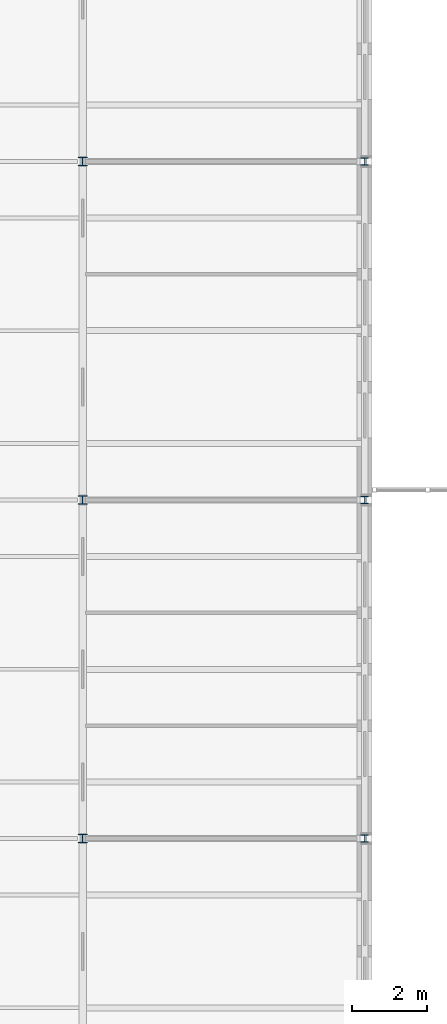
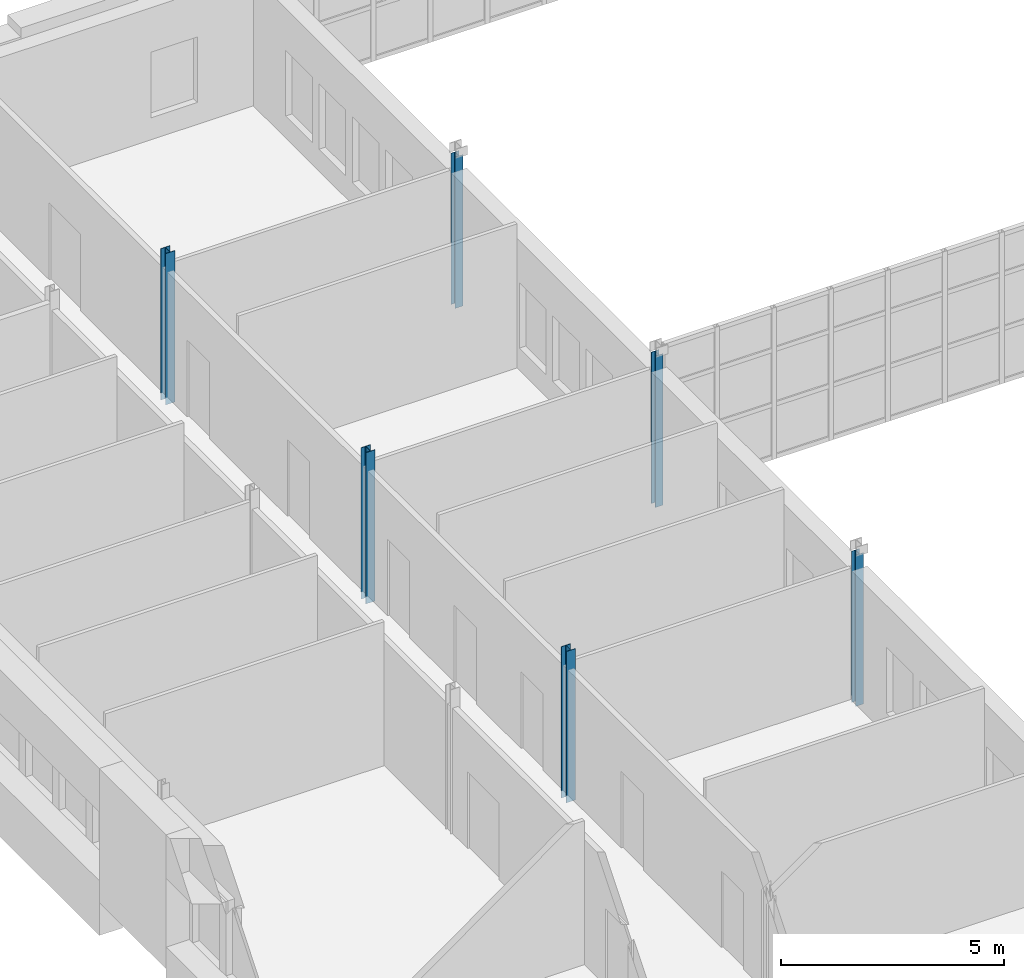
# One storey, part 7 of 154: 6 columns.
"""IFC4 building model written with IfcOpenShell, lengths in metres."""

from ifc_helpers import new_model, si_unit, direction, frame, origin, origin_2d, place, context, subcontext, project, spatial, i_section, extrude, material, material_profile, profile_set, type_object, element, save


model = new_model("IFC4")

# Units and contexts
model_context = context("Model", 3, precision=1e-05, world=origin(), true_north=direction((0.0, 1.0)))
body_context = subcontext(model_context, "Body", "Model", "MODEL_VIEW")
ifc_project = project(units=[si_unit("LENGTHUNIT", "METRE"), si_unit("AREAUNIT", "SQUARE_METRE"), si_unit("VOLUMEUNIT", "CUBIC_METRE"), si_unit("PLANEANGLEUNIT", "RADIAN"), si_unit("MASSUNIT", "GRAM", prefix="KILO")], contexts=[model_context])

# Site, building, storey
site_placement = place(None, origin())
site = spatial("IfcSite", under=ifc_project, at=site_placement, CompositionType="ELEMENT")
building_placement = place(site_placement, origin())
building = spatial("IfcBuilding", under=site, at=building_placement, Name="Golden Quay Civic Hall", CompositionType="ELEMENT")
storey_placement = place(building_placement, frame((0.0, 0.0, 14.39990234375)))
storey = spatial("IfcBuildingStorey", under=building, at=storey_placement, Name="L03", CompositionType="ELEMENT", Elevation=14.39990234375)

# Columns
ifc_material_1 = material(Name="Steel S355", Category="steel")
ifc_material_profile_1 = material_profile(ifc_material_1, i_section(OverallWidth=0.199951171875, OverallDepth=0.18994140625, WebThickness=0.006591796875, FlangeThickness=0.010009765625, FilletRadius=0.01806640625, at=origin_2d()), Name="HEA 200")
ifc_profile_set_1 = profile_set([ifc_material_profile_1], Name="Steel S355")
column_type_1 = type_object("IfcColumnType", Name="Steel column HEA 200", PredefinedType="COLUMN", material=ifc_profile_set_1)
for number, where, z_axis, x_axis, name in (
    (1, (72.0, 27.0, -0.199951171875), (0.0, 0.0, 1.0), (1.0, 0.0, 0.0), "Column 72/27 L03"),
    (2, (72.0, 36.0, -0.199951171875), (0.0, 0.0, 1.0), (1.0, 0.0, 0.0), "Column 72/36 L03"),
    (3, (72.0, 45.0, -0.199951171875), (0.0, 0.0, 1.0), (1.0, 0.0, 0.0), "Column 72/45 L03"),
):
    element("IfcColumn", number, at=place(storey_placement, frame(where, z_axis=z_axis, x_axis=x_axis)), inside=storey, type_object=column_type_1, Name=name, PredefinedType="COLUMN", context=body_context, shape_type="SweptSolid", body=[
        extrude(i_section(OverallWidth=0.199951171875, OverallDepth=0.18994140625, WebThickness=0.006591796875, FlangeThickness=0.010009765625, FilletRadius=0.01806640625, at=origin_2d()), origin(), (0.0, 0.0, 1.0), 4.150146484375),
    ])
ifc_material_2 = material(Name="Steel S355", Category="steel")
ifc_material_profile_2 = material_profile(ifc_material_2, i_section(OverallWidth=0.239990234375, OverallDepth=0.22998046875, WebThickness=0.007568359375, FlangeThickness=0.011962890625, FilletRadius=0.02099609375, at=origin_2d()), Name="HEA 240")
ifc_profile_set_2 = profile_set([ifc_material_profile_2], Name="Steel S355")
column_type_2 = type_object("IfcColumnType", Name="Steel column HEA 240", PredefinedType="COLUMN", material=ifc_profile_set_2)
for number, where, z_axis, x_axis, name in (
    (4, (64.5, 27.0, -0.199951171875), (0.0, 0.0, 1.0), (1.0, 0.0, 0.0), "Column 64.5/27 L03"),
    (5, (64.5, 36.0, -0.199951171875), (0.0, 0.0, 1.0), (1.0, 0.0, 0.0), "Column 64.5/36 L03"),
    (6, (64.5, 45.0, -0.199951171875), (0.0, 0.0, 1.0), (1.0, 0.0, 0.0), "Column 64.5/45 L03"),
):
    element("IfcColumn", number, at=place(storey_placement, frame(where, z_axis=z_axis, x_axis=x_axis)), inside=storey, type_object=column_type_2, Name=name, PredefinedType="COLUMN", context=body_context, shape_type="SweptSolid", body=[
        extrude(i_section(OverallWidth=0.239990234375, OverallDepth=0.22998046875, WebThickness=0.007568359375, FlangeThickness=0.011962890625, FilletRadius=0.02099609375, at=origin_2d()), origin(), (0.0, 0.0, 1.0), 4.150146484375),
    ])

save(model, "model.ifc")
